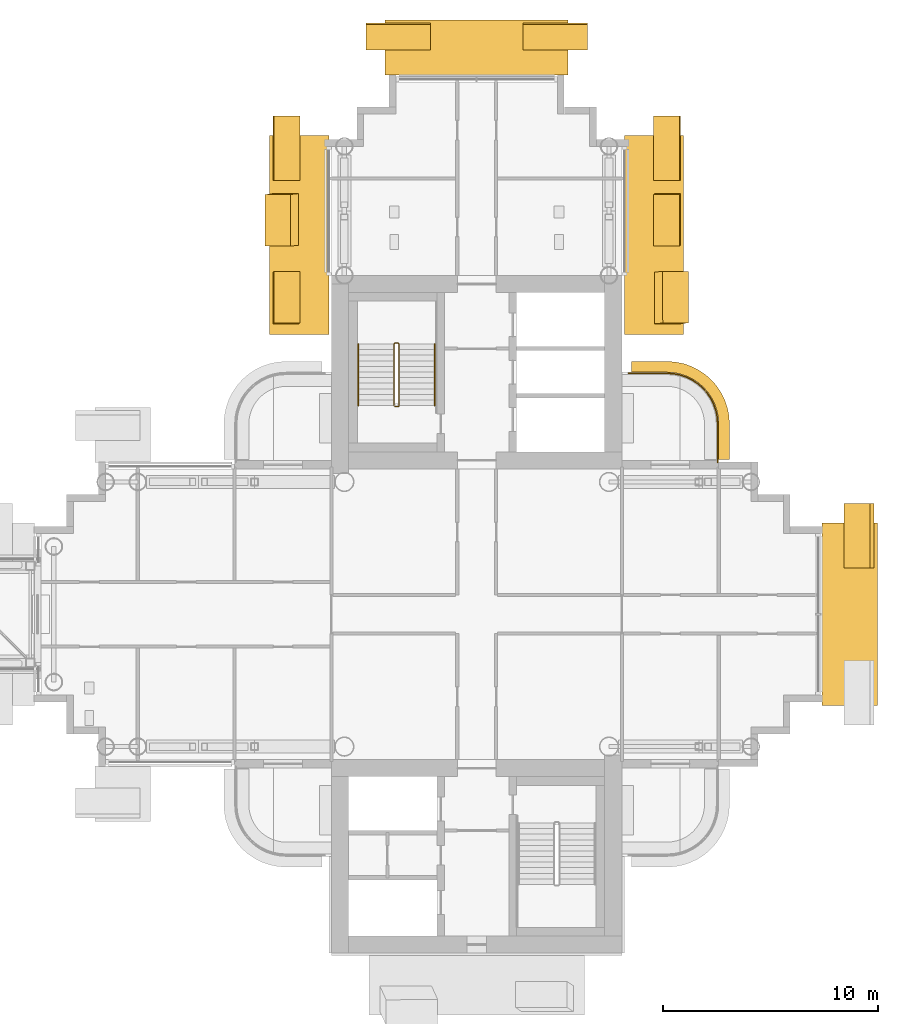
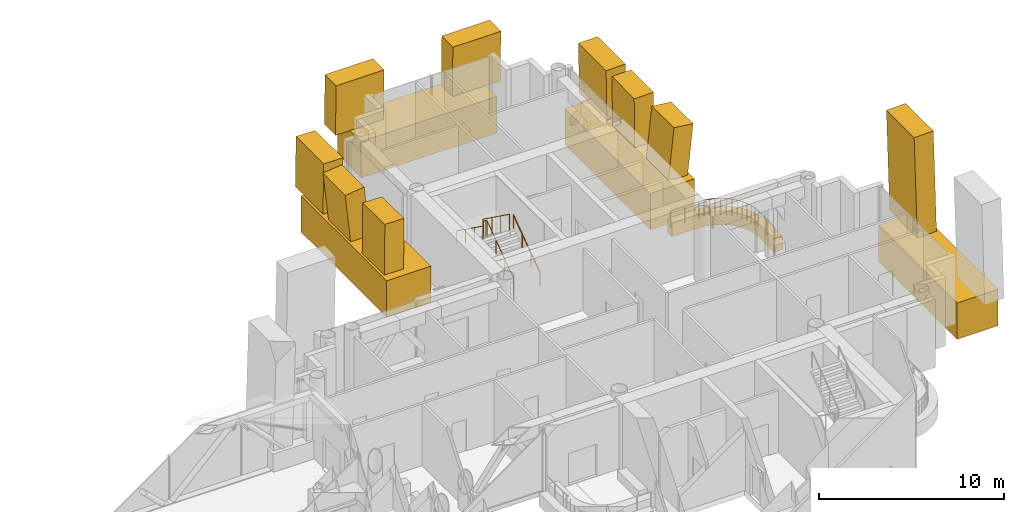
# One storey, part 25 of 26: 14 coverings, 4 railings.
"""IFC4 building model written with IfcOpenShell, lengths in metres."""

from ifc_helpers import new_model, si_unit, direction, frame, origin, origin_2d, place, context, subcontext, project, spatial, polyline, rectangle, circle, outline, extrude, material, layer, layer_set, material_profile, profile_set, type_object, element, save


model = new_model("IFC4")

# Units and contexts
model_context = context("Model", 3, precision=1e-05, world=origin(), true_north=direction((0.0, 1.0)))
body_context = subcontext(model_context, "Body", "Model", "MODEL_VIEW")
ifc_project = project(units=[si_unit("LENGTHUNIT", "METRE"), si_unit("AREAUNIT", "SQUARE_METRE"), si_unit("VOLUMEUNIT", "CUBIC_METRE"), si_unit("PLANEANGLEUNIT", "RADIAN"), si_unit("MASSUNIT", "GRAM", prefix="KILO")], contexts=[model_context])

# Site, building, storey
site_placement = place(None, origin())
site = spatial("IfcSite", under=ifc_project, at=site_placement, CompositionType="ELEMENT")
building_placement = place(site_placement, origin())
building = spatial("IfcBuilding", under=site, at=building_placement, Name="Ipe Terrace Towers", CompositionType="ELEMENT")
storey_placement = place(building_placement, frame((0.0, 0.0, 181.300048828125)))
storey = spatial("IfcBuildingStorey", under=building, at=storey_placement, Name="L50", CompositionType="ELEMENT", Elevation=181.300048828125)

# Railing
ifc_material_1 = material(Name="Stainless steel S316", Category="steel")
railing_type_1 = type_object("IfcRailingType", Name="GUARD 1100", PredefinedType="BALUSTRADE", material=ifc_material_1)
railing_1_placement = place(storey_placement, frame((47.199951171875, 7.070068359375, -0.02001953125)))
element("IfcRailing", 1, at=railing_1_placement, inside=storey, type_object=railing_type_1, Name="guard", PredefinedType="BALUSTRADE", context=body_context, shape_type="SweptSolid", body=[
    extrude(circle(Radius=0.02392578125, at=origin_2d()), frame((0.0, 0.0, 1.076171875), z_axis=(0.0, 1.0, 0.0), x_axis=(-1.0, 0.0, 0.0)), (0.0, 0.0, 1.0), 1.77783203125),
    extrude(circle(Radius=0.02392578125, at=origin_2d()), frame((0.0, 1.77783203125, 1.076171875), z_axis=(-0.064635492184, 0.99790894031, 0.0), x_axis=(-0.99790894031, -0.064635492184, 0.0)), (0.0, 0.0, 1.0), 0.309814453125),
    extrude(circle(Radius=0.02392578125, at=origin_2d()), frame((-0.02001953125, 2.0869140625, 1.076171875), z_axis=(-0.194892169718, 0.980824674538, 0.0), x_axis=(-0.980824674538, -0.194892169718, 0.0)), (0.0, 0.0, 1.0), 0.306884765625),
    extrude(circle(Radius=0.02392578125, at=origin_2d()), frame((-0.079833984375, 2.387939453125, 1.076171875), z_axis=(-0.322415209212, 0.946598348228, 0.0), x_axis=(-0.946598348228, -0.322415209212, 0.0)), (0.0, 0.0, 1.0), 0.307373046875),
    extrude(circle(Radius=0.02392578125, at=origin_2d()), frame((-0.178955078125, 2.678955078125, 1.076171875), z_axis=(-0.44212629539, 0.896952807524, 0.0), x_axis=(-0.896952807524, -0.44212629539, 0.0)), (0.0, 0.0, 1.0), 0.3076171875),
    extrude(circle(Radius=0.02392578125, at=origin_2d()), frame((-0.31494140625, 2.954833984375, 1.076171875), z_axis=(-0.555066120228, 0.831806228742, 0.0), x_axis=(-0.831806228742, -0.555066120228, 0.0)), (0.0, 0.0, 1.0), 0.307861328125),
    extrude(circle(Radius=0.02392578125, at=origin_2d()), frame((-0.48583984375, 3.2109375, 1.076171875), z_axis=(-0.658617227954, 0.752478137252, 0.0), x_axis=(-0.752478137252, -0.658617227954, 0.0)), (0.0, 0.0, 1.0), 0.306884765625),
    extrude(circle(Radius=0.02392578125, at=origin_2d()), frame((-0.68798828125, 3.44189453125, 1.076171875), z_axis=(-0.752478137252, 0.658617227954, 0.0), x_axis=(-0.658617227954, -0.752478137252, 0.0)), (0.0, 0.0, 1.0), 0.306884765625),
    extrude(circle(Radius=0.02392578125, at=origin_2d()), frame((-0.9189453125, 3.64404296875, 1.076171875), z_axis=(-0.831806228742, 0.555066120228, 0.0), x_axis=(-0.555066120228, -0.831806228742, 0.0)), (0.0, 0.0, 1.0), 0.307861328125),
    extrude(circle(Radius=0.02392578125, at=origin_2d()), frame((-1.175048828125, 3.81494140625, 1.076171875), z_axis=(-0.896952807524, 0.44212629539, 0.0), x_axis=(-0.44212629539, -0.896952807524, 0.0)), (0.0, 0.0, 1.0), 0.3076171875),
    extrude(circle(Radius=0.02392578125, at=origin_2d()), frame((-1.450927734375, 3.950927734375, 1.076171875), z_axis=(-0.946598348228, 0.322415209212, 0.0), x_axis=(-0.322415209212, -0.946598348228, 0.0)), (0.0, 0.0, 1.0), 0.307373046875),
    extrude(circle(Radius=0.02392578125, at=origin_2d()), frame((-1.741943359375, 4.050048828125, 1.076171875), z_axis=(-0.980824674538, 0.194892169718, 0.0), x_axis=(-0.194892169718, -0.980824674538, 0.0)), (0.0, 0.0, 1.0), 0.306884765625),
    extrude(circle(Radius=0.02392578125, at=origin_2d()), frame((-2.04296875, 4.10986328125, 1.076171875), z_axis=(-0.99790894031, 0.064635492184, 0.0), x_axis=(-0.064635492184, -0.99790894031, 0.0)), (0.0, 0.0, 1.0), 0.309814453125),
    extrude(circle(Radius=0.02392578125, at=origin_2d()), frame((-2.35205078125, 4.1298828125, 1.076171875), z_axis=(-1.0, 0.0, 0.0), x_axis=(0.0, -1.0, 0.0)), (0.0, 0.0, 1.0), 1.77783203125),
    extrude(circle(Radius=0.02099609375, at=origin_2d()), origin(), (0.0, 0.0, 1.0), 1.052001953125),
    extrude(circle(Radius=0.02099609375, at=origin_2d()), frame((0.0, 0.888916015625, 0.0)), (0.0, 0.0, 1.0), 1.052001953125),
    extrude(circle(Radius=0.02099609375, at=origin_2d()), frame((0.0, 1.77783203125, 0.0)), (0.0, 0.0, 1.0), 1.052001953125),
    extrude(circle(Radius=0.02099609375, at=origin_2d()), frame((-0.02001953125, 2.0869140625, 0.0)), (0.0, 0.0, 1.0), 1.052001953125),
    extrude(circle(Radius=0.02099609375, at=origin_2d()), frame((-0.079833984375, 2.387939453125, 0.0)), (0.0, 0.0, 1.0), 1.052001953125),
    extrude(circle(Radius=0.02099609375, at=origin_2d()), frame((-0.178955078125, 2.678955078125, 0.0)), (0.0, 0.0, 1.0), 1.052001953125),
    extrude(circle(Radius=0.02099609375, at=origin_2d()), frame((-0.31494140625, 2.954833984375, 0.0)), (0.0, 0.0, 1.0), 1.052001953125),
    extrude(circle(Radius=0.02099609375, at=origin_2d()), frame((-0.48583984375, 3.2109375, 0.0)), (0.0, 0.0, 1.0), 1.052001953125),
    extrude(circle(Radius=0.02099609375, at=origin_2d()), frame((-0.68798828125, 3.44189453125, 0.0)), (0.0, 0.0, 1.0), 1.052001953125),
    extrude(circle(Radius=0.02099609375, at=origin_2d()), frame((-0.9189453125, 3.64404296875, 0.0)), (0.0, 0.0, 1.0), 1.052001953125),
    extrude(circle(Radius=0.02099609375, at=origin_2d()), frame((-1.175048828125, 3.81494140625, 0.0)), (0.0, 0.0, 1.0), 1.052001953125),
    extrude(circle(Radius=0.02099609375, at=origin_2d()), frame((-1.450927734375, 3.950927734375, 0.0)), (0.0, 0.0, 1.0), 1.052001953125),
    extrude(circle(Radius=0.02099609375, at=origin_2d()), frame((-1.741943359375, 4.050048828125, 0.0)), (0.0, 0.0, 1.0), 1.052001953125),
    extrude(circle(Radius=0.02099609375, at=origin_2d()), frame((-2.04296875, 4.10986328125, 0.0)), (0.0, 0.0, 1.0), 1.052001953125),
    extrude(circle(Radius=0.02099609375, at=origin_2d()), frame((-2.35205078125, 4.1298828125, 0.0)), (0.0, 0.0, 1.0), 1.052001953125),
    extrude(circle(Radius=0.02099609375, at=origin_2d()), frame((-3.240966796875, 4.1298828125, 0.0)), (0.0, 0.0, 1.0), 1.052001953125),
    extrude(circle(Radius=0.02099609375, at=origin_2d()), frame((-4.1298828125, 4.1298828125, 0.0)), (0.0, 0.0, 1.0), 1.052001953125),
])

# Coverings
ifc_material_2 = material(Name="Concrete C50/60 precast, buff finish", Category="concrete")
ifc_layer = layer(ifc_material_2, 0.5)
ifc_layer_set = layer_set([ifc_layer], Name="STONE EDGE BAND 500 x 900")
covering_type_1 = type_object("IfcCoveringType", Name="STONE EDGE BAND 500 x 900", PredefinedType="CLADDING", material=ifc_layer_set)
covering_1_placement = place(storey_placement, frame((0.0, 0.0, -0.719970703125)))
element("IfcCovering", 2, at=covering_1_placement, inside=storey, type_object=covering_type_1, Name="stone edge band", PredefinedType="CLADDING", context=body_context, shape_type="SweptSolid", body=[
    extrude(outline(polyline([(47.75, 8.85009765625), (47.7490234375, 8.883056640625), (47.72802734375, 9.196044921875), (47.719970703125, 9.260986328125), (47.658935546875, 9.569091796875), (47.64208984375, 9.632080078125), (47.541015625, 9.928955078125), (47.51611328125, 9.989990234375), (47.376953125, 10.27099609375), (47.343994140625, 10.327880859375), (47.169921875, 10.589111328125), (47.1298828125, 10.64111328125), (46.923095703125, 10.876953125), (46.876953125, 10.923095703125), (46.64111328125, 11.1298828125), (46.589111328125, 11.169921875), (46.327880859375, 11.343994140625), (46.27099609375, 11.376953125), (45.989990234375, 11.51611328125), (45.928955078125, 11.541015625), (45.632080078125, 11.64208984375), (45.569091796875, 11.658935546875), (45.260986328125, 11.719970703125), (45.196044921875, 11.72802734375), (44.883056640625, 11.7490234375), (44.85009765625, 11.75), (43.199951171875, 11.75), (43.199951171875, 11.25), (44.85009765625, 11.25), (45.1630859375, 11.22900390625), (45.470947265625, 11.16796875), (45.76806640625, 11.06689453125), (46.050048828125, 10.927978515625), (46.31103515625, 10.75390625), (46.547119140625, 10.547119140625), (46.75390625, 10.31103515625), (46.927978515625, 10.050048828125), (47.06689453125, 9.76806640625), (47.16796875, 9.470947265625), (47.22900390625, 9.1630859375), (47.25, 8.85009765625), (47.25, 7.199951171875), (47.75, 7.199951171875), (47.75, 8.85009765625)])), origin(), (0.0, 0.0, 1.0), 0.89990234375),
])
ifc_material_3 = material(Name="Concrete C50/60 precast, buff finish", Category="concrete")
ifc_material_profile_1 = material_profile(ifc_material_3, rectangle(XDim=2.39990234375, YDim=1.199951171875, at=origin_2d()), Name="STONE FIN 2400 x 1200")
ifc_profile_set_1 = profile_set([ifc_material_profile_1], Name="Concrete C50/60 precast, buff finish")
covering_type_2 = type_object("IfcCoveringType", Name="STONE FIN 2400 x 1200", PredefinedType="USERDEFINED", material=ifc_profile_set_1)
covering_2_placement = place(storey_placement, frame((27.1298828125, 18.35009765625, 1.199951171875), z_axis=(-0.112246671656, -0.012055307237, 0.993607243467), x_axis=(0.00135326646, -0.999927332143, -0.011979111089)))
element("IfcCovering", 3, at=covering_2_placement, inside=storey, type_object=covering_type_2, Name="stone fin", ObjectType="FIN", PredefinedType="USERDEFINED", context=body_context, shape_type="SweptSolid", body=[
    extrude(rectangle(XDim=2.39990234375, YDim=1.199951171875, at=origin_2d()), origin(), (0.0, 0.0, 1.0), 3.3212890625),
])
for number, where, z_axis, x_axis, name in (
    (4, (27.1298828125, 14.699951171875, 1.199951171875), (0.015163227508, 0.012130582006, 0.999811444979), (0.000183952305, -0.999926421783, 0.012129187168), "stone fin"),
    (5, (44.8701171875, 18.35009765625, 1.199951171875), (-0.015163227508, -0.012130582006, 0.999811444979), (-0.000183952305, 0.999926421783, 0.012129187168), "stone fin"),
):
    element("IfcCovering", number, at=place(storey_placement, frame(where, z_axis=z_axis, x_axis=x_axis)), inside=storey, type_object=covering_type_2, Name=name, ObjectType="FIN", PredefinedType="USERDEFINED", context=body_context, shape_type="SweptSolid", body=[
        extrude(rectangle(XDim=2.39990234375, YDim=1.199951171875, at=origin_2d()), origin(), (0.0, 0.0, 1.0), 3.30078125),
    ])
covering_3_placement = place(storey_placement, frame((44.8701171875, 14.699951171875, 1.199951171875), z_axis=(0.112246671656, 0.012055307237, 0.993607243467), x_axis=(-0.00135326646, 0.999927332143, -0.011979111089)))
element("IfcCovering", 6, at=covering_3_placement, inside=storey, type_object=covering_type_2, Name="stone fin", ObjectType="FIN", PredefinedType="USERDEFINED", context=body_context, shape_type="SweptSolid", body=[
    extrude(rectangle(XDim=2.39990234375, YDim=1.199951171875, at=origin_2d()), origin(), (0.0, 0.0, 1.0), 3.3212890625),
])
ifc_material_4 = material(Name="Concrete C50/60 precast, buff finish", Category="concrete")
ifc_material_profile_2 = material_profile(ifc_material_4, rectangle(XDim=3.0, YDim=1.199951171875, at=origin_2d()), Name="STONE FIN CORNER 3000 x 1200")
ifc_profile_set_2 = profile_set([ifc_material_profile_2], Name="Concrete C50/60 precast, buff finish")
covering_type_3 = type_object("IfcCoveringType", Name="STONE FIN CORNER 3000 x 1200", PredefinedType="USERDEFINED", material=ifc_profile_set_2)
for number, where, z_axis, x_axis, name in (
    (7, (27.1298828125, 21.64990234375, 1.199951171875), (0.015164343273, 0.0, 0.999885014736), (0.0, -1.0, 0.0), "stone fin"),
    (8, (32.35009765625, 26.8701171875, 1.199951171875), (0.0, -0.015164343273, 0.999885014736), (-1.0, 0.0, 0.0), "stone fin"),
    (9, (39.64990234375, 26.8701171875, 1.199951171875), (0.0, -0.015164343273, 0.999885014736), (-1.0, 0.0, 0.0), "stone fin"),
    (10, (44.8701171875, 21.64990234375, 1.199951171875), (-0.015164343273, 0.0, 0.999885014736), (0.0, 1.0, 0.0), "stone fin"),
):
    element("IfcCovering", number, at=place(storey_placement, frame(where, z_axis=z_axis, x_axis=x_axis)), inside=storey, type_object=covering_type_3, Name=name, ObjectType="FIN", PredefinedType="USERDEFINED", context=body_context, shape_type="SweptSolid", body=[
        extrude(rectangle(XDim=3.0, YDim=1.199951171875, at=origin_2d()), origin(), (0.0, 0.0, 1.0), 3.300537109375),
    ])
covering_4_placement = place(storey_placement, frame((53.8701171875, 3.64990234375, 1.199951171875), z_axis=(-0.029539266711, 0.0, 0.999563620648), x_axis=(0.0, 1.0, 0.0)))
element("IfcCovering", 11, at=covering_4_placement, inside=storey, type_object=covering_type_3, Name="stone fin", ObjectType="FIN", PredefinedType="USERDEFINED", context=body_context, shape_type="SweptSolid", body=[
    extrude(rectangle(XDim=3.0, YDim=1.199951171875, at=origin_2d()), origin(), (0.0, 0.0, 1.0), 6.702880859375),
])
ifc_material_5 = material(Name="Concrete C50/60 precast, buff finish", Category="concrete")
ifc_material_profile_3 = material_profile(ifc_material_5, rectangle(XDim=2.56005859375, YDim=2.39990234375, at=origin_2d()), Name="STONE FIN SPANDREL 2560 x 2400")
ifc_profile_set_3 = profile_set([ifc_material_profile_3], Name="Concrete C50/60 precast, buff finish")
covering_type_4 = type_object("IfcCoveringType", Name="STONE FIN SPANDREL 2560 x 2400", PredefinedType="CLADDING", material=ifc_profile_set_3)
for number, where, z_axis, x_axis, name in (
    (12, (53.340087890625, -4.25, 0.0), (0.0, 1.0, 0.0), (1.0, 0.0, 0.0), "stone fin spandrel"),
    (13, (40.25, 26.340087890625, 0.0), (-1.0, 0.0, 0.0), (0.0, 1.0, 0.0), "stone fin spandrel"),
):
    element("IfcCovering", number, at=place(storey_placement, frame(where, z_axis=z_axis, x_axis=x_axis)), inside=storey, type_object=covering_type_4, Name=name, PredefinedType="CLADDING", context=body_context, shape_type="SweptSolid", body=[
        extrude(rectangle(XDim=2.56005859375, YDim=2.39990234375, at=origin_2d()), origin(), (0.0, 0.0, 1.0), 8.5),
    ])
ifc_material_6 = material(Name="Concrete C50/60 precast, buff finish", Category="concrete")
ifc_material_profile_4 = material_profile(ifc_material_6, rectangle(XDim=2.760009765625, YDim=2.39990234375, at=origin_2d()), Name="STONE FIN SPANDREL 2760 x 2400")
ifc_profile_set_4 = profile_set([ifc_material_profile_4], Name="Concrete C50/60 precast, buff finish")
covering_type_5 = type_object("IfcCoveringType", Name="STONE FIN SPANDREL 2760 x 2400", PredefinedType="CLADDING", material=ifc_profile_set_4)
for number, where, z_axis, x_axis, name in (
    (14, (44.239990234375, 13.0, 0.0), (0.0, 1.0, 0.0), (1.0, 0.0, 0.0), "stone fin spandrel"),
    (15, (27.760009765625, 22.25, 0.0), (0.0, -1.0, 0.0), (-1.0, 0.0, 0.0), "stone fin spandrel"),
):
    element("IfcCovering", number, at=place(storey_placement, frame(where, z_axis=z_axis, x_axis=x_axis)), inside=storey, type_object=covering_type_5, Name=name, PredefinedType="CLADDING", context=body_context, shape_type="SweptSolid", body=[
        extrude(rectangle(XDim=2.760009765625, YDim=2.39990234375, at=origin_2d()), origin(), (0.0, 0.0, 1.0), 9.25),
    ])

# Railings
ifc_material_7 = material(Name="Steel S355", Category="steel")
railing_type_2 = type_object("IfcRailingType", Name="Stair guard 1100", PredefinedType="GUARDRAIL", material=ifc_material_7)
railing_2_placement = place(storey_placement, frame((32.199951171875, 9.64990234375, 0.0)))
element("IfcRailing", 16, at=railing_2_placement, inside=storey, type_object=railing_type_2, Name="L50 T2-ST1 stair guard 1", PredefinedType="GUARDRAIL", context=body_context, shape_type="SweptSolid", body=[
    extrude(circle(Radius=0.02392578125, at=origin_2d()), frame((0.0, 0.0, 1.076171875), z_axis=(1.0, 0.0, 0.0), x_axis=(0.0, 1.0, 0.0)), (0.0, 0.0, 1.0), 0.150146484375),
    extrude(circle(Radius=0.02392578125, at=origin_2d()), frame((0.150146484375, 0.0, 1.076171875), z_axis=(0.248583702486, 0.249802250048, 0.935844527007), x_axis=(-0.708833529934, 0.705375805398, 0.0)), (0.0, 0.0, 1.0), 0.200439453125),
    extrude(circle(Radius=0.02392578125, at=origin_2d()), frame((0.199951171875, 0.050048828125, 1.263671875), z_axis=(0.0, 0.811100754333, 0.584906459462), x_axis=(-1.0, 0.0, 0.0)), (0.0, 0.0, 1.0), 3.526123046875),
    extrude(circle(Radius=0.02392578125, at=origin_2d()), frame((0.199951171875, 2.91015625, 3.326171875), z_axis=(-0.705375805398, 0.708833529934, 0.0), x_axis=(-0.708833529934, -0.705375805398, 0.0)), (0.0, 0.0, 1.0), 0.070556640625),
    extrude(circle(Radius=0.02392578125, at=origin_2d()), frame((0.150146484375, 2.960205078125, 3.326171875), z_axis=(-1.0, 0.0, 0.0), x_axis=(0.0, -1.0, 0.0)), (0.0, 0.0, 1.0), 0.150146484375),
    extrude(circle(Radius=0.02392578125, at=origin_2d()), frame((0.0, 2.960205078125, 3.326171875), z_axis=(-0.249726431254, -0.249726431254, 0.935560483917), x_axis=(0.707106781187, -0.707106781187, 0.0)), (0.0, 0.0, 1.0), 0.200439453125),
    extrude(circle(Radius=0.02392578125, at=origin_2d()), frame((-0.050048828125, 2.91015625, 3.513671875), z_axis=(0.0, -0.811100754333, 0.584906459462), x_axis=(1.0, 0.0, 0.0)), (0.0, 0.0, 1.0), 3.526123046875),
    extrude(circle(Radius=0.02099609375, at=origin_2d()), origin(), (0.0, 0.0, 1.0), 1.052001953125),
    extrude(circle(Radius=0.02099609375, at=origin_2d()), frame((0.150146484375, 0.0, 0.0)), (0.0, 0.0, 1.0), 1.052001953125),
    extrude(circle(Radius=0.02099609375, at=origin_2d()), frame((0.199951171875, 0.050048828125, 0.1875)), (0.0, 0.0, 1.0), 1.052001953125),
    extrude(circle(Radius=0.02099609375, at=origin_2d()), frame((0.199951171875, 1.00341796875, 0.875)), (0.0, 0.0, 1.0), 1.052001953125),
    extrude(circle(Radius=0.02099609375, at=origin_2d()), frame((0.199951171875, 1.956787109375, 1.5625)), (0.0, 0.0, 1.0), 1.052001953125),
    extrude(circle(Radius=0.02099609375, at=origin_2d()), frame((0.199951171875, 2.91015625, 2.25)), (0.0, 0.0, 1.0), 1.052001953125),
    extrude(circle(Radius=0.02099609375, at=origin_2d()), frame((0.150146484375, 2.960205078125, 2.25)), (0.0, 0.0, 1.0), 1.052001953125),
    extrude(circle(Radius=0.02099609375, at=origin_2d()), frame((0.0, 2.960205078125, 2.25)), (0.0, 0.0, 1.0), 1.052001953125),
    extrude(circle(Radius=0.02099609375, at=origin_2d()), frame((-0.050048828125, 2.91015625, 2.4375)), (0.0, 0.0, 1.0), 1.052001953125),
    extrude(circle(Radius=0.02099609375, at=origin_2d()), frame((-0.050048828125, 1.956787109375, 3.125)), (0.0, 0.0, 1.0), 1.052001953125),
    extrude(circle(Radius=0.02099609375, at=origin_2d()), frame((-0.050048828125, 1.00341796875, 3.8125)), (0.0, 0.0, 1.0), 1.052001953125),
    extrude(circle(Radius=0.02099609375, at=origin_2d()), frame((-0.050048828125, 0.050048828125, 4.5)), (0.0, 0.0, 1.0), 1.052001953125),
])
ifc_material_8 = material(Name="Stainless steel grade 304", Category="steel")
railing_type_3 = type_object("IfcRailingType", Name="Stair handrail 900", PredefinedType="HANDRAIL", material=ifc_material_8)
railing_3_placement = place(storey_placement, frame((34.050048828125, 9.699951171875, 0.1875)))
element("IfcRailing", 17, at=railing_3_placement, inside=storey, type_object=railing_type_3, Name="L50 T2-ST1 stair handrail 1", PredefinedType="HANDRAIL", context=body_context, shape_type="SweptSolid", body=[
    extrude(circle(Radius=0.02392578125, at=origin_2d()), frame((0.0, 0.0, 0.8759765625), z_axis=(0.0, 0.811100754333, 0.584906459462), x_axis=(-1.0, 0.0, 0.0)), (0.0, 0.0, 1.0), 3.526123046875),
    extrude(circle(Radius=0.02099609375, at=origin_2d()), origin(), (0.0, 0.0, 1.0), 0.851806640625),
    extrude(circle(Radius=0.02099609375, at=origin_2d()), frame((0.0, 0.953369140625, 0.6875)), (0.0, 0.0, 1.0), 0.851806640625),
    extrude(circle(Radius=0.02099609375, at=origin_2d()), frame((0.0, 1.90673828125, 1.375)), (0.0, 0.0, 1.0), 0.851806640625),
    extrude(circle(Radius=0.02099609375, at=origin_2d()), frame((0.0, 2.860107421875, 2.0625)), (0.0, 0.0, 1.0), 0.851806640625),
])
railing_4_placement = place(storey_placement, frame((30.5, 12.56005859375, 2.4375)))
element("IfcRailing", 18, at=railing_4_placement, inside=storey, type_object=railing_type_3, Name="L50 T2-ST1 stair handrail 2", PredefinedType="HANDRAIL", context=body_context, shape_type="SweptSolid", body=[
    extrude(circle(Radius=0.02392578125, at=origin_2d()), frame((0.0, 0.0, 0.8759765625), z_axis=(0.0, -0.811100754333, 0.584906459462), x_axis=(1.0, 0.0, 0.0)), (0.0, 0.0, 1.0), 3.526123046875),
    extrude(circle(Radius=0.02099609375, at=origin_2d()), origin(), (0.0, 0.0, 1.0), 0.851806640625),
    extrude(circle(Radius=0.02099609375, at=origin_2d()), frame((0.0, -0.953369140625, 0.6875)), (0.0, 0.0, 1.0), 0.851806640625),
    extrude(circle(Radius=0.02099609375, at=origin_2d()), frame((0.0, -1.90673828125, 1.375)), (0.0, 0.0, 1.0), 0.851806640625),
    extrude(circle(Radius=0.02099609375, at=origin_2d()), frame((0.0, -2.860107421875, 2.0625)), (0.0, 0.0, 1.0), 0.851806640625),
])

save(model, "model.ifc")
